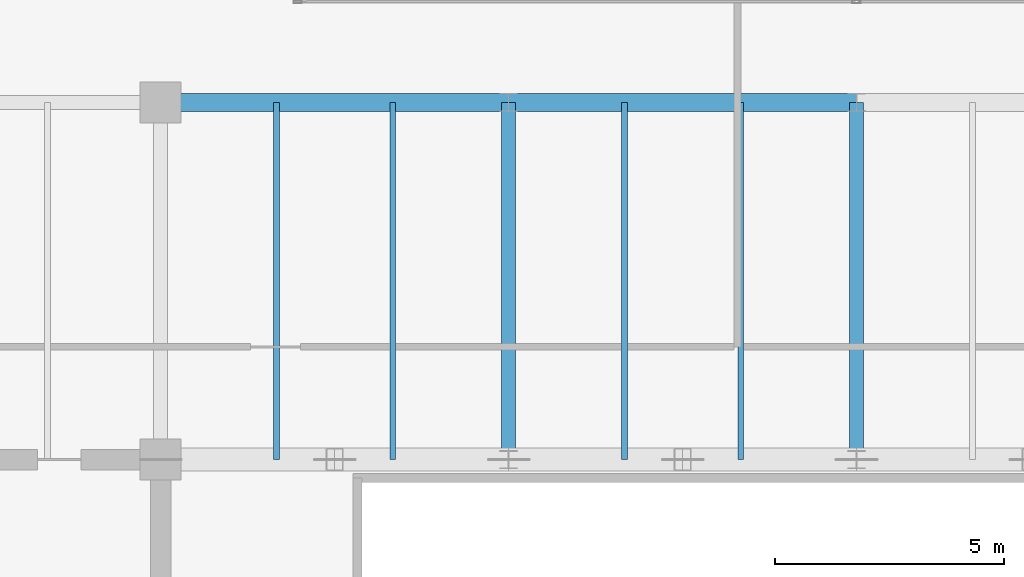
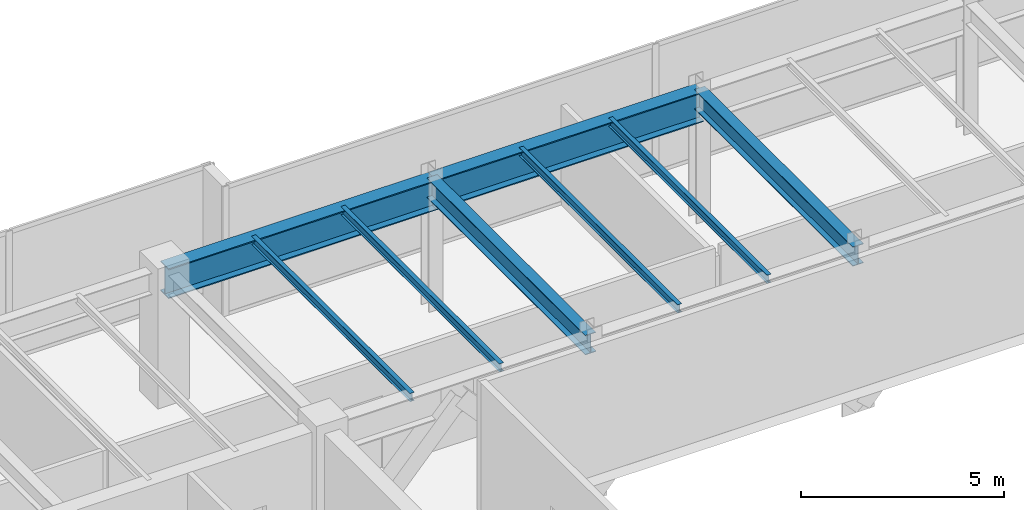
# One storey, part 18 of 31: 8 beams.
"""IFC4 building model written with IfcOpenShell, lengths in metres."""

import ifcopenshell
import ifcopenshell.guid

model = None  # the IFC model being written
_history = None  # IfcOwnerHistory: only IFC2X3 demands one
_inside = {}  # id of a spatial element -> (the spatial element, [elements in it])
_under = {}  # id of a project, library or spatial element -> (it, [spatial elements below it])
_declared = {}  # id of a project -> (the project, [libraries it declares])
_typed = {}  # id of a type object -> (the type object, [elements of that type])
_made_of = {}  # id of a material, layer set ... -> (it, [elements and type objects made of it])


def new_model(schema):
    """Start an empty IFC model of exactly this schema.

    Asked for "IFC4X3", IfcOpenShell would pick the latest addendum, in which some entities
    have other attributes; the version numbers below select the first issue.
    IFC2X3 requires an IfcOwnerHistory on every rooted entity: one is made here for all.
    """
    global model, _history
    if schema == "IFC4X3":
        model = ifcopenshell.file(schema_version=(4, 3, 0, 0))
    else:
        model = ifcopenshell.file(schema=schema)
    _inside.clear()
    _under.clear()
    _declared.clear()
    _typed.clear()
    _made_of.clear()
    _history = None
    if model.schema == "IFC2X3":
        org = make("IfcOrganization", Name="unknown")
        user = make(
            "IfcPersonAndOrganization",
            ThePerson=make("IfcPerson", FamilyName="unknown"),
            TheOrganization=org,
        )
        app = make(
            "IfcApplication",
            ApplicationDeveloper=org,
            Version="unknown",
            ApplicationFullName="unknown",
            ApplicationIdentifier="unknown",
        )
        _history = make(
            "IfcOwnerHistory",
            OwningUser=user,
            OwningApplication=app,
            ChangeAction="ADDED",
            CreationDate=0,
        )
    return model


def make(cls, **values):
    """One entity of the class cls with the attributes given. An attribute that is None is left unset."""
    return model.create_entity(
        cls, **{name: value for name, value in values.items() if value is not None}
    )


def rooted(cls, **values):
    """An entity with a GlobalId (a new one), such as an element, a storey or a relation."""
    return make(cls, GlobalId=ifcopenshell.guid.new(), OwnerHistory=_history, **values)


def si_unit(unit_type, name, prefix=None):
    """IfcSIUnit, for example si_unit("LENGTHUNIT", "METRE", prefix="MILLI")."""
    return make("IfcSIUnit", UnitType=unit_type, Prefix=prefix, Name=name)


def assignment(units):
    """IfcUnitAssignment: the units of a project."""
    return None if units is None else make("IfcUnitAssignment", Units=units)


def point(xyz):
    """IfcCartesianPoint."""
    return None if xyz is None else make("IfcCartesianPoint", Coordinates=xyz)


def direction(xyz):
    """IfcDirection."""
    return None if xyz is None else make("IfcDirection", DirectionRatios=xyz)


def frame(location, z_axis=None, x_axis=None):
    """IfcAxis2Placement3D, a coordinate frame: its origin and axes. An axis left out is left unset."""
    return make(
        "IfcAxis2Placement3D",
        Location=point(location),
        Axis=direction(z_axis),
        RefDirection=direction(x_axis),
    )


def frame_2d(location, x_axis=None):
    """IfcAxis2Placement2D, a coordinate frame in the plane: its origin and x axis."""
    return make(
        "IfcAxis2Placement2D", Location=point(location), RefDirection=direction(x_axis)
    )


def origin():
    """The frame at (0, 0, 0) with its axes left unset."""
    return frame((0.0, 0.0, 0.0))


def origin_2d():
    """The frame at (0, 0) in the plane with its x axis left unset."""
    return frame_2d((0.0, 0.0))


def place(relative_to, where):
    """IfcLocalPlacement: puts the frame where relative to a parent placement (None: the world)."""
    return make(
        "IfcLocalPlacement", PlacementRelTo=relative_to, RelativePlacement=where
    )


def context(
    kind, dimensions, precision=None, world=None, true_north=None, identifier=None
):
    """IfcGeometricRepresentationContext, for example the 3D "Model" context."""
    return make(
        "IfcGeometricRepresentationContext",
        ContextIdentifier=identifier,
        ContextType=kind,
        CoordinateSpaceDimension=dimensions,
        Precision=precision,
        WorldCoordinateSystem=world,
        TrueNorth=true_north,
    )


def subcontext(parent, identifier, kind, view, scale=None):
    """IfcGeometricRepresentationSubContext, for example "Body" below "Model"."""
    return make(
        "IfcGeometricRepresentationSubContext",
        ContextIdentifier=identifier,
        ContextType=kind,
        ParentContext=parent,
        TargetScale=scale,
        TargetView=view,
    )


def project(units=None, contexts=None):
    """IfcProject with its units and contexts."""
    return rooted(
        "IfcProject",
        Name="project",
        RepresentationContexts=contexts,
        UnitsInContext=assignment(units),
    )


def spatial(cls, under=None, at=None, **own):
    """A site, building, storey or space (cls), placed at a placement, below another one or the project."""
    s = rooted(cls, ObjectPlacement=at, **own)
    if under is not None:
        _under.setdefault(under.id(), (under, []))[1].append(s)
    return s


def profile(cls, at=None, kind="AREA", **sizes):
    """A parametric profile (cls). Its sizes go by their IFC names, for example OverallWidth=200.0."""
    return make(cls, ProfileType=kind, Position=at, **sizes)


def i_section(**sizes):
    """IfcIShapeProfileDef."""
    return profile("IfcIShapeProfileDef", **sizes)


def extrude(swept, where, along, depth):
    """IfcExtrudedAreaSolid: the profile swept, set in the frame where, extruded along a direction by depth."""
    return make(
        "IfcExtrudedAreaSolid",
        SweptArea=swept,
        Position=where,
        ExtrudedDirection=direction(along),
        Depth=depth,
    )


def shape(context_of_items, identifier, shape_type, items):
    """IfcShapeRepresentation: the items that make up one representation, for example the "Body"."""
    return make(
        "IfcShapeRepresentation",
        ContextOfItems=context_of_items,
        RepresentationIdentifier=identifier,
        RepresentationType=shape_type,
        Items=items,
    )


def source(mapping_origin, context_of_items, identifier, shape_type, items):
    """IfcRepresentationMap: a shape defined once, which mapped items show again and again."""
    return make(
        "IfcRepresentationMap",
        MappingOrigin=mapping_origin,
        MappedRepresentation=shape(context_of_items, identifier, shape_type, items),
    )


def transform(
    local_origin,
    x_axis=None,
    y_axis=None,
    z_axis=None,
    scale=None,
    scale2=None,
    scale3=None,
    uniform=True,
):
    """IfcCartesianTransformationOperator3D, or its non-uniform kind. x_axis, y_axis, z_axis: its Axis1, 2, 3."""
    if uniform:
        return make(
            "IfcCartesianTransformationOperator3D",
            Axis1=direction(x_axis),
            Axis2=direction(y_axis),
            LocalOrigin=point(local_origin),
            Scale=scale,
            Axis3=direction(z_axis),
        )
    return make(
        "IfcCartesianTransformationOperator3DnonUniform",
        Axis1=direction(x_axis),
        Axis2=direction(y_axis),
        LocalOrigin=point(local_origin),
        Scale=scale,
        Axis3=direction(z_axis),
        Scale2=scale2,
        Scale3=scale3,
    )


def mapped(mapping_source, mapping_target):
    """IfcMappedItem: shows the shape of a source again, moved by a transform."""
    return make(
        "IfcMappedItem", MappingSource=mapping_source, MappingTarget=mapping_target
    )


def material(Name=None, Category=None):
    """IfcMaterial."""
    return make("IfcMaterial", Name=Name, Category=Category)


def material_profile(
    of_material, cross_section, Name=None, Category=None, Priority=None
):
    """IfcMaterialProfile: a cross section and its material."""
    return make(
        "IfcMaterialProfile",
        Name=Name,
        Material=of_material,
        Profile=cross_section,
        Priority=Priority,
        Category=Category,
    )


def profile_set(profiles, Name=None, composite=None):
    """IfcMaterialProfileSet."""
    return make(
        "IfcMaterialProfileSet",
        Name=Name,
        MaterialProfiles=profiles,
        CompositeProfile=composite,
    )


def made_of(thing, what):
    """Note that an element or type object is made of a material, layer set ...; save() writes the relation."""
    if what is not None:
        _made_of.setdefault(what.id(), (what, []))[1].append(thing)
    return thing


def type_object(cls, material=None, **own):
    """A type object (cls), such as IfcWallType, which elements share."""
    return made_of(rooted(cls, **own), material)


def type_shapes(of_type, sources):
    """Give a type object the sources (RepresentationMaps) that its elements show as mapped items."""
    of_type.RepresentationMaps = sources


def element(
    cls,
    number,
    at=None,
    inside=None,
    cuts=None,
    type_object=None,
    material=None,
    context=None,
    identifier="Body",
    shape_type=None,
    held_by="IfcProductDefinitionShape",
    body=None,
    shapes=None,
    **own,
):
    """One element of the class cls, such as IfcWall. Its Tag is "e" and its number.

    at: its placement. inside: the storey or other place that contains it. cuts: it is an
    opening in that element (IfcRelVoidsElement). A single representation is given by context,
    identifier, shape_type and body (its items); several are given by shapes. held_by: the class
    of the entity that holds the representations. save() writes the other relations.
    """
    e = rooted(cls, Tag="e%d" % number, ObjectPlacement=at, **own)
    if body is not None:
        shapes = [shape(context, identifier, shape_type, body)]
    if shapes is not None:
        e.Representation = make(held_by, Representations=shapes)
    if inside is not None:
        _inside.setdefault(inside.id(), (inside, []))[1].append(e)
    if cuts is not None:
        rooted(
            "IfcRelVoidsElement", RelatingBuildingElement=cuts, RelatedOpeningElement=e
        )
    if type_object is not None:
        _typed.setdefault(type_object.id(), (type_object, []))[1].append(e)
    return made_of(e, material)


def aggregate(whole, parts):
    """IfcRelAggregates: a whole, such as a stair, and the parts it consists of."""
    return rooted("IfcRelAggregates", RelatingObject=whole, RelatedObjects=parts)


def save(model, path):
    """Write the relations noted so far, then the file.

    IfcRelAggregates (storeys below a building ...), IfcRelContainedInSpatialStructure (elements
    in a storey), IfcRelDefinesByType, IfcRelAssociatesMaterial and IfcRelDeclares: one each for
    every whole, place, type object, material and project.
    """
    for whole, parts in _under.values():
        aggregate(whole, parts)
    for where, things in _inside.values():
        rooted(
            "IfcRelContainedInSpatialStructure",
            RelatedElements=things,
            RelatingStructure=where,
        )
    for kind, things in _typed.values():
        rooted("IfcRelDefinesByType", RelatedObjects=things, RelatingType=kind)
    for what, things in _made_of.values():
        rooted("IfcRelAssociatesMaterial", RelatedObjects=things, RelatingMaterial=what)
    for by, libraries in _declared.values():
        rooted("IfcRelDeclares", RelatingContext=by, RelatedDefinitions=libraries)
    model.write(path)


model = new_model("IFC4")

# Units and contexts
model_context = context("Model", 3, precision=1e-05, world=origin(), true_north=direction((0.0, 1.0)))
body_context = subcontext(model_context, "Body", "Model", "MODEL_VIEW")
ifc_project = project(units=[si_unit("LENGTHUNIT", "METRE"), si_unit("AREAUNIT", "SQUARE_METRE"), si_unit("VOLUMEUNIT", "CUBIC_METRE"), si_unit("PLANEANGLEUNIT", "RADIAN"), si_unit("MASSUNIT", "GRAM", prefix="KILO")], contexts=[model_context])

# Site, building, storey
site_placement = place(None, origin())
site = spatial("IfcSite", under=ifc_project, at=site_placement, CompositionType="ELEMENT")
building_placement = place(site_placement, origin())
building = spatial("IfcBuilding", under=site, at=building_placement, Name="Haelvirn Gate Laboratories", CompositionType="ELEMENT")
storey_placement = place(building_placement, frame((0.0, 0.0, 310.199951171875)))
storey = spatial("IfcBuildingStorey", under=building, at=storey_placement, Name="L74", CompositionType="ELEMENT", Elevation=310.199951171875)

# Beams
ifc_material_1 = material(Name="Steel SM420", Category="steel")
ifc_material_profile_1 = material_profile(ifc_material_1, i_section(OverallWidth=0.39990234375, OverallDepth=0.89990234375, WebThickness=0.01904296875, FlangeThickness=0.031982421875, at=origin_2d()), Name="H-900x400x19x32")
ifc_profile_set_1 = profile_set([ifc_material_profile_1], Name="Steel SM420")
beam_type_1 = type_object("IfcBeamType", Name="BM-TG-900", PredefinedType="BEAM", material=ifc_profile_set_1)
shared_shape_1 = source(origin(), body_context, "Body", "SweptSolid", [
    extrude(i_section(OverallWidth=0.39990234375, OverallDepth=0.89990234375, WebThickness=0.01904296875, FlangeThickness=0.031982421875, at=origin_2d()), origin(), (0.0, 0.0, 1.0), 7.60009765625),
])
beam_1_placement = place(storey_placement, frame((22.199951171875, 41.60009765625, 3.449951171875), z_axis=(1.0, 0.0, 0.0), x_axis=(0.0, 1.0, 0.0)))
element("IfcBeam", 1, at=beam_1_placement, inside=storey, type_object=beam_type_1, Name="L74 Primary Girder Y41.6 (22.2-29.8)", PredefinedType="BEAM", context=body_context, shape_type="MappedRepresentation", body=[
    mapped(shared_shape_1, transform((0.0, 0.0, 0.0), scale=1.0)),
])
shared_shape_2 = source(origin(), body_context, "Body", "SweptSolid", [
    extrude(i_section(OverallWidth=0.39990234375, OverallDepth=0.89990234375, WebThickness=0.01904296875, FlangeThickness=0.031982421875, at=origin_2d()), origin(), (0.0, 0.0, 1.0), 7.599853515625),
])
type_shapes(beam_type_1, [shared_shape_1, shared_shape_2])
beam_2_placement = place(storey_placement, frame((29.800048828125, 41.60009765625, 3.449951171875), z_axis=(1.0, 0.0, 0.0), x_axis=(0.0, 1.0, 0.0)))
element("IfcBeam", 2, at=beam_2_placement, inside=storey, type_object=beam_type_1, Name="L74 Primary Girder Y41.6 (29.8-37.4)", PredefinedType="BEAM", context=body_context, shape_type="MappedRepresentation", body=[
    mapped(shared_shape_2, transform((0.0, 0.0, 0.0), scale=1.0)),
])
ifc_material_2 = material(Name="Steel SM355", Category="steel")
ifc_material_profile_2 = material_profile(ifc_material_2, i_section(OverallWidth=0.300048828125, OverallDepth=0.587890625, WebThickness=0.011962890625, FlangeThickness=0.02001953125, at=origin_2d()), Name="H-588x300x12x20")
ifc_profile_set_2 = profile_set([ifc_material_profile_2], Name="Steel SM355")
beam_type_2 = type_object("IfcBeamType", Name="BM-G-588", PredefinedType="BEAM", material=ifc_profile_set_2)
shared_shape_3 = source(origin(), body_context, "Body", "SweptSolid", [
    extrude(i_section(OverallWidth=0.300048828125, OverallDepth=0.587890625, WebThickness=0.011962890625, FlangeThickness=0.02001953125, at=origin_2d()), origin(), (0.0, 0.0, 1.0), 7.800048828125),
])
type_shapes(beam_type_2, [shared_shape_3])
for number, where, z_axis, x_axis, name in (
    (3, (29.800048828125, 33.800048828125, 3.60595703125), (0.0, 1.0, 0.0), (-1.0, 0.0, 0.0), "L74 Frame Girder X29.8 (33.8-41.6)"),
    (4, (37.39990234375, 33.800048828125, 3.60595703125), (0.0, 1.0, 0.0), (-1.0, 0.0, 0.0), "L74 Frame Girder X37.4 (33.8-41.6)"),
):
    element("IfcBeam", number, at=place(storey_placement, frame(where, z_axis=z_axis, x_axis=x_axis)), inside=storey, type_object=beam_type_2, Name=name, PredefinedType="BEAM", context=body_context, shape_type="MappedRepresentation", body=[
        mapped(shared_shape_3, transform((0.0, 0.0, 0.0), scale=1.0)),
    ])
ifc_material_profile_3 = material_profile(ifc_material_2, i_section(OverallWidth=0.125, OverallDepth=0.25, WebThickness=0.006103515625, FlangeThickness=0.009033203125, at=origin_2d()), Name="H-250x125x6x9")
ifc_profile_set_3 = profile_set([ifc_material_profile_3], Name="Steel SM355")
beam_type_3 = type_object("IfcBeamType", Name="BM-J-250", PredefinedType="JOIST", material=ifc_profile_set_3)
shared_shape_4 = source(origin(), body_context, "Body", "SweptSolid", [
    extrude(i_section(OverallWidth=0.125, OverallDepth=0.25, WebThickness=0.006103515625, FlangeThickness=0.009033203125, at=origin_2d()), origin(), (0.0, 0.0, 1.0), 7.800048828125),
])
type_shapes(beam_type_3, [shared_shape_4])
for number, where, z_axis, x_axis, name in (
    (5, (24.72998046875, 33.800048828125, 3.775146484375), (0.0, 1.0, 0.0), (-1.0, 0.0, 0.0), "L74 Composite Lab Joist North X24.73"),
    (6, (27.27001953125, 33.800048828125, 3.775146484375), (0.0, 1.0, 0.0), (-1.0, 0.0, 0.0), "L74 Composite Lab Joist North X27.27"),
    (7, (32.330078125, 33.800048828125, 3.775146484375), (0.0, 1.0, 0.0), (-1.0, 0.0, 0.0), "L74 Composite Lab Joist North X32.33"),
    (8, (34.8701171875, 33.800048828125, 3.775146484375), (0.0, 1.0, 0.0), (-1.0, 0.0, 0.0), "L74 Composite Lab Joist North X34.87"),
):
    element("IfcBeam", number, at=place(storey_placement, frame(where, z_axis=z_axis, x_axis=x_axis)), inside=storey, type_object=beam_type_3, Name=name, PredefinedType="JOIST", context=body_context, shape_type="MappedRepresentation", body=[
        mapped(shared_shape_4, transform((0.0, 0.0, 0.0), scale=1.0)),
    ])

save(model, "model.ifc")
